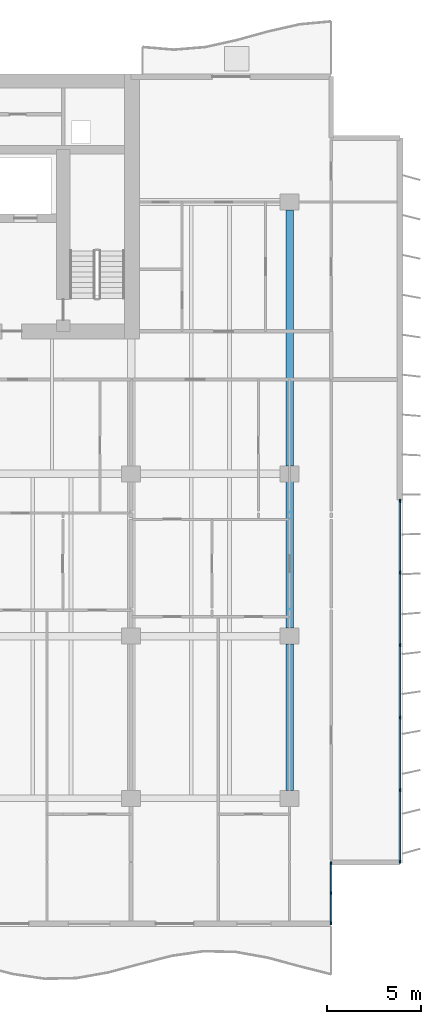
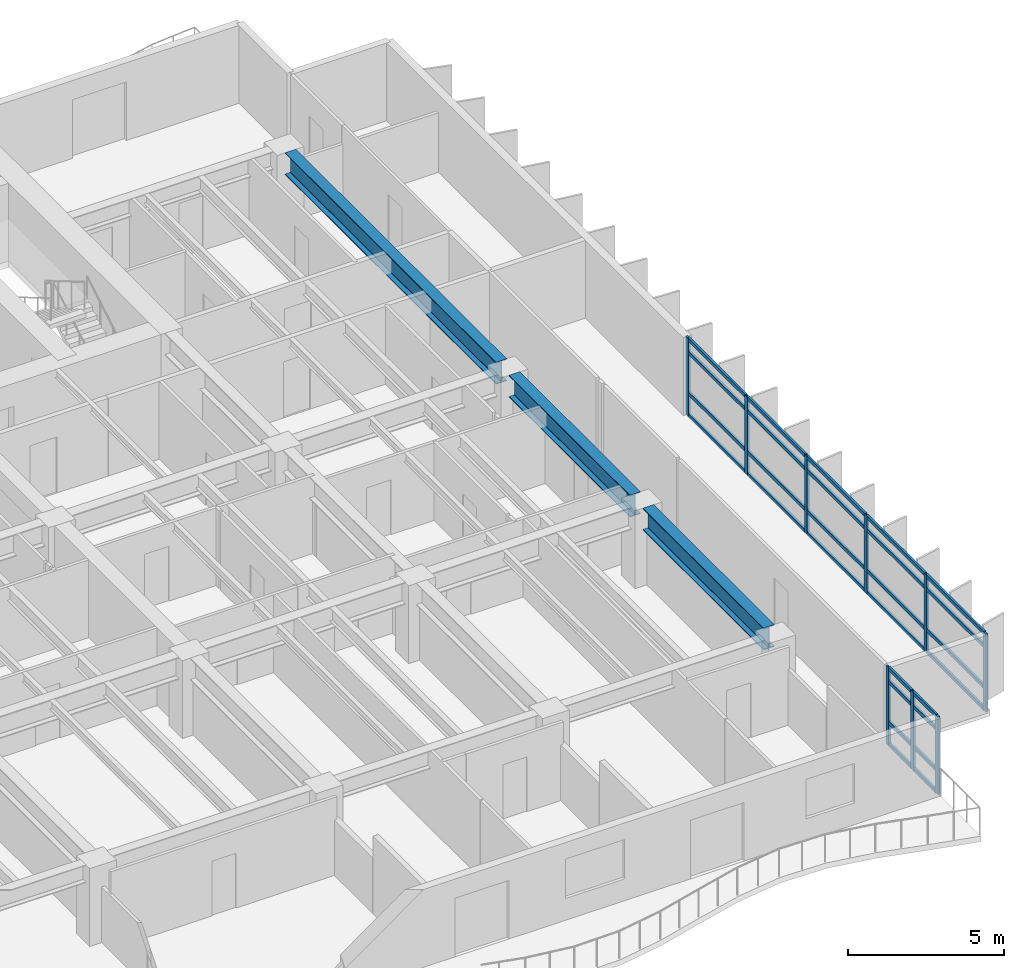
# One storey, part 4 of 17: 37 members, 3 beams, 2 elements without a shape of their own.
"""IFC4 building model written with IfcOpenShell, lengths in metres."""

from ifc_helpers import new_model, si_unit, direction, frame, origin, origin_2d, place, context, subcontext, project, spatial, rectangle, i_section, extrude, material, layer, layer_set, material_profile, profile_set, type_object, element, aggregate, save


model = new_model("IFC4")

# Units and contexts
model_context = context("Model", 3, precision=1e-05, world=origin(), true_north=direction((0.0, 1.0)))
body_context = subcontext(model_context, "Body", "Model", "MODEL_VIEW")
ifc_project = project(units=[si_unit("LENGTHUNIT", "METRE"), si_unit("AREAUNIT", "SQUARE_METRE"), si_unit("VOLUMEUNIT", "CUBIC_METRE"), si_unit("PLANEANGLEUNIT", "RADIAN"), si_unit("MASSUNIT", "GRAM", prefix="KILO")], contexts=[model_context])

# Site, building, storey
site_placement = place(None, origin())
site = spatial("IfcSite", under=ifc_project, at=site_placement, CompositionType="ELEMENT")
building_placement = place(site_placement, origin())
building = spatial("IfcBuilding", under=site, at=building_placement, Name="Caelmar Bay Residences", CompositionType="ELEMENT")
storey_placement = place(building_placement, frame((0.0, 0.0, 87.89990234375)))
storey = spatial("IfcBuildingStorey", under=building, at=storey_placement, Name="L23", CompositionType="ELEMENT", Elevation=87.89990234375)

# Beams
ifc_material_1 = material(Name="Steel ASTM A992 Grade 50", Category="steel")
ifc_material_profile_1 = material_profile(ifc_material_1, i_section(OverallWidth=0.40087890625, OverallDepth=0.861083984375, WebThickness=0.019775390625, FlangeThickness=0.032470703125, FilletRadius=0.017822265625, at=origin_2d()), Name="W33X221")
ifc_profile_set_1 = profile_set([ifc_material_profile_1], Name="Steel ASTM A992 Grade 50")
beam_type = type_object("IfcBeamType", Name="BM-GRD-W33X221", PredefinedType="BEAM", material=ifc_profile_set_1)
for number, where, z_axis, x_axis, name in (
    (1, (67.89990234375, 12.614990234375, 2.61962890625), (0.0, 1.0, 0.0), (-1.0, 0.0, 0.0), "L23 North-South Girder X=67.90 (12.2-20.8)"),
    (2, (67.89990234375, 21.215087890625, 2.61962890625), (0.0, 1.0, 0.0), (-1.0, 0.0, 0.0), "L23 North-South Girder X=67.90 (20.8-29.4)"),
):
    element("IfcBeam", number, at=place(storey_placement, frame(where, z_axis=z_axis, x_axis=x_axis)), inside=storey, type_object=beam_type, Name=name, PredefinedType="BEAM", context=body_context, shape_type="SweptSolid", body=[
        extrude(i_section(OverallWidth=0.40087890625, OverallDepth=0.861083984375, WebThickness=0.019775390625, FlangeThickness=0.032470703125, FilletRadius=0.017822265625, at=origin_2d()), origin(), (0.0, 0.0, 1.0), 7.77001953125),
    ])
beam_placement = place(storey_placement, frame((67.89990234375, 29.81494140625, 2.61962890625), z_axis=(0.0, 1.0, 0.0), x_axis=(-1.0, 0.0, 0.0)))
element("IfcBeam", 3, at=beam_placement, inside=storey, type_object=beam_type, Name="L23 North-South Girder X=67.90 (29.4-43.8)", PredefinedType="BEAM", context=body_context, shape_type="SweptSolid", body=[
    extrude(i_section(OverallWidth=0.40087890625, OverallDepth=0.861083984375, WebThickness=0.019775390625, FlangeThickness=0.032470703125, FilletRadius=0.017822265625, at=origin_2d()), origin(), (0.0, 0.0, 1.0), 13.570068359375),
])

# Curtain wall, members
ifc_material_2 = material(Name="Anodised bronze aluminium 6063-T6 and laminated glass", Category="aluminium")
ifc_layer_1 = layer(ifc_material_2, 0.179931640625)
ifc_layer_set_1 = layer_set([ifc_layer_1], Name="Anodised bronze aluminium 6063-T6 and laminated glass")
curtain_wall_type_1 = type_object("IfcCurtainWallType", Name="CW6-NTC", PredefinedType="NOTDEFINED", material=ifc_layer_set_1)
curtain_wall_1_placement = place(storey_placement, origin())
curtain_wall_1 = element("IfcCurtainWall", 4, at=curtain_wall_1_placement, inside=storey, type_object=curtain_wall_type_1, Name="CW6 curtain wall L23", PredefinedType="NOTDEFINED")
ifc_material_3 = material(Name="Anodised bronze aluminium 6063-T6", Category="aluminium")
ifc_material_profile_2 = material_profile(ifc_material_3, rectangle(XDim=0.080078125, YDim=0.179931640625, at=origin_2d()), Name="CWM-80X180")
ifc_profile_set_2 = profile_set([ifc_material_profile_2], Name="Anodised bronze aluminium 6063-T6")
member_type_1 = type_object("IfcMemberType", Name="CWM-180", PredefinedType="MULLION", material=ifc_profile_set_2)
member_1_placement = place(storey_placement, frame((70.10009765625, 5.590087890625, 0.0), z_axis=(0.0, 0.0, 1.0), x_axis=(-1.0, 0.0, 0.0)))
member_1 = element("IfcMember", 5, at=member_1_placement, type_object=member_type_1, Name="CW6 mullion 1", PredefinedType="MULLION", context=body_context, shape_type="SweptSolid", body=[
    extrude(rectangle(XDim=0.080078125, YDim=0.179931640625, at=origin_2d()), origin(), (0.0, 0.0, 1.0), 3.050048828125),
])
member_2_placement = place(storey_placement, frame((70.10009765625, 7.175048828125, 0.0), z_axis=(0.0, 0.0, 1.0), x_axis=(-1.0, 0.0, 0.0)))
member_2 = element("IfcMember", 6, at=member_2_placement, type_object=member_type_1, Name="CW6 mullion 2", PredefinedType="MULLION", context=body_context, shape_type="SweptSolid", body=[
    extrude(rectangle(XDim=0.080078125, YDim=0.179931640625, at=origin_2d()), origin(), (0.0, 0.0, 1.0), 3.050048828125),
])
member_3_placement = place(storey_placement, frame((70.10009765625, 8.760009765625, 0.0), z_axis=(0.0, 0.0, 1.0), x_axis=(-1.0, 0.0, 0.0)))
member_3 = element("IfcMember", 7, at=member_3_placement, type_object=member_type_1, Name="CW6 mullion 3", PredefinedType="MULLION", context=body_context, shape_type="SweptSolid", body=[
    extrude(rectangle(XDim=0.080078125, YDim=0.179931640625, at=origin_2d()), origin(), (0.0, 0.0, 1.0), 3.050048828125),
])

ifc_layer_2 = layer(ifc_material_2, 0.179931640625)
ifc_layer_set_2 = layer_set([ifc_layer_2], Name="Anodised bronze aluminium 6063-T6 and laminated glass")
curtain_wall_type_2 = type_object("IfcCurtainWallType", Name="CW3-Z2", PredefinedType="NOTDEFINED", material=ifc_layer_set_2)
curtain_wall_2_placement = place(storey_placement, origin())
curtain_wall_2 = element("IfcCurtainWall", 8, at=curtain_wall_2_placement, inside=storey, type_object=curtain_wall_type_2, Name="CW3 curtain wall L23", PredefinedType="NOTDEFINED")
member_4_placement = place(storey_placement, frame((73.75, 27.9599609375, 0.0), z_axis=(0.0, 0.0, 1.0), x_axis=(1.0, 0.0, 0.0)))
member_4 = element("IfcMember", 9, at=member_4_placement, type_object=member_type_1, Name="CW3 mullion 1", PredefinedType="MULLION", context=body_context, shape_type="SweptSolid", body=[
    extrude(rectangle(XDim=0.080078125, YDim=0.179931640625, at=origin_2d()), origin(), (0.0, 0.0, 1.0), 3.050048828125),
])
member_5_placement = place(storey_placement, frame((73.75, 24.159912109375, 0.0), z_axis=(0.0, 0.0, 1.0), x_axis=(1.0, 0.0, 0.0)))
member_5 = element("IfcMember", 10, at=member_5_placement, type_object=member_type_1, Name="CW3 mullion 2", PredefinedType="MULLION", context=body_context, shape_type="SweptSolid", body=[
    extrude(rectangle(XDim=0.080078125, YDim=0.179931640625, at=origin_2d()), origin(), (0.0, 0.0, 1.0), 3.050048828125),
])
member_6_placement = place(storey_placement, frame((73.75, 20.320068359375, 0.0), z_axis=(0.0, 0.0, 1.0), x_axis=(1.0, 0.0, 0.0)))
member_6 = element("IfcMember", 11, at=member_6_placement, type_object=member_type_1, Name="CW3 mullion 3", PredefinedType="MULLION", context=body_context, shape_type="SweptSolid", body=[
    extrude(rectangle(XDim=0.080078125, YDim=0.179931640625, at=origin_2d()), origin(), (0.0, 0.0, 1.0), 3.050048828125),
])
member_7_placement = place(storey_placement, frame((73.75, 16.47998046875, 0.0), z_axis=(0.0, 0.0, 1.0), x_axis=(1.0, 0.0, 0.0)))
member_7 = element("IfcMember", 12, at=member_7_placement, type_object=member_type_1, Name="CW3 mullion 4", PredefinedType="MULLION", context=body_context, shape_type="SweptSolid", body=[
    extrude(rectangle(XDim=0.080078125, YDim=0.179931640625, at=origin_2d()), origin(), (0.0, 0.0, 1.0), 3.050048828125),
])
member_8_placement = place(storey_placement, frame((73.75, 12.639892578125, 0.0), z_axis=(0.0, 0.0, 1.0), x_axis=(1.0, 0.0, 0.0)))
member_8 = element("IfcMember", 13, at=member_8_placement, type_object=member_type_1, Name="CW3 mullion 5", PredefinedType="MULLION", context=body_context, shape_type="SweptSolid", body=[
    extrude(rectangle(XDim=0.080078125, YDim=0.179931640625, at=origin_2d()), origin(), (0.0, 0.0, 1.0), 3.050048828125),
])
member_9_placement = place(storey_placement, frame((73.75, 8.840087890625, 0.0), z_axis=(0.0, 0.0, 1.0), x_axis=(1.0, 0.0, 0.0)))
member_9 = element("IfcMember", 14, at=member_9_placement, type_object=member_type_1, Name="CW3 mullion 6", PredefinedType="MULLION", context=body_context, shape_type="SweptSolid", body=[
    extrude(rectangle(XDim=0.080078125, YDim=0.179931640625, at=origin_2d()), origin(), (0.0, 0.0, 1.0), 3.050048828125),
])

# Member
ifc_material_profile_3 = material_profile(ifc_material_3, rectangle(XDim=0.080078125, YDim=0.139892578125, at=origin_2d()), Name="CWT-80X140")
ifc_profile_set_3 = profile_set([ifc_material_profile_3], Name="Anodised bronze aluminium 6063-T6")
member_type_2 = type_object("IfcMemberType", Name="CWT-140", PredefinedType="NOTDEFINED", material=ifc_profile_set_3)
member_10_placement = place(storey_placement, frame((70.10009765625, 5.6298828125, 0.0400390625), z_axis=(0.0, 1.0, 0.0), x_axis=(-1.0, 0.0, 0.0)))
member_10 = element("IfcMember", 15, at=member_10_placement, type_object=member_type_2, Name="CW6 transom 1.1", ObjectType="TRANSOM", PredefinedType="USERDEFINED", context=body_context, shape_type="SweptSolid", body=[
    extrude(rectangle(XDim=0.080078125, YDim=0.139892578125, at=origin_2d()), origin(), (0.0, 0.0, 1.0), 1.505126953125),
])

member_11_placement = place(storey_placement, frame((70.10009765625, 5.6298828125, 0.900146484375), z_axis=(0.0, 1.0, 0.0), x_axis=(-1.0, 0.0, 0.0)))
member_11 = element("IfcMember", 16, at=member_11_placement, type_object=member_type_2, Name="CW6 transom 1.2", ObjectType="TRANSOM", PredefinedType="USERDEFINED", context=body_context, shape_type="SweptSolid", body=[
    extrude(rectangle(XDim=0.080078125, YDim=0.139892578125, at=origin_2d()), origin(), (0.0, 0.0, 1.0), 1.505126953125),
])

member_12_placement = place(storey_placement, frame((70.10009765625, 5.6298828125, 2.5), z_axis=(0.0, 1.0, 0.0), x_axis=(-1.0, 0.0, 0.0)))
member_12 = element("IfcMember", 17, at=member_12_placement, type_object=member_type_2, Name="CW6 transom 1.3", ObjectType="TRANSOM", PredefinedType="USERDEFINED", context=body_context, shape_type="SweptSolid", body=[
    extrude(rectangle(XDim=0.080078125, YDim=0.139892578125, at=origin_2d()), origin(), (0.0, 0.0, 1.0), 1.505126953125),
])

member_13_placement = place(storey_placement, frame((70.10009765625, 5.6298828125, 3.010009765625), z_axis=(0.0, 1.0, 0.0), x_axis=(-1.0, 0.0, 0.0)))
member_13 = element("IfcMember", 18, at=member_13_placement, type_object=member_type_2, Name="CW6 transom 1.4", ObjectType="TRANSOM", PredefinedType="USERDEFINED", context=body_context, shape_type="SweptSolid", body=[
    extrude(rectangle(XDim=0.080078125, YDim=0.139892578125, at=origin_2d()), origin(), (0.0, 0.0, 1.0), 1.505126953125),
])

member_14_placement = place(storey_placement, frame((70.10009765625, 7.215087890625, 0.0400390625), z_axis=(0.0, 1.0, 0.0), x_axis=(-1.0, 0.0, 0.0)))
member_14 = element("IfcMember", 19, at=member_14_placement, type_object=member_type_2, Name="CW6 transom 2.1", ObjectType="TRANSOM", PredefinedType="USERDEFINED", context=body_context, shape_type="SweptSolid", body=[
    extrude(rectangle(XDim=0.080078125, YDim=0.139892578125, at=origin_2d()), origin(), (0.0, 0.0, 1.0), 1.5048828125),
])

member_15_placement = place(storey_placement, frame((70.10009765625, 7.215087890625, 0.900146484375), z_axis=(0.0, 1.0, 0.0), x_axis=(-1.0, 0.0, 0.0)))
member_15 = element("IfcMember", 20, at=member_15_placement, type_object=member_type_2, Name="CW6 transom 2.2", ObjectType="TRANSOM", PredefinedType="USERDEFINED", context=body_context, shape_type="SweptSolid", body=[
    extrude(rectangle(XDim=0.080078125, YDim=0.139892578125, at=origin_2d()), origin(), (0.0, 0.0, 1.0), 1.5048828125),
])

member_16_placement = place(storey_placement, frame((70.10009765625, 7.215087890625, 2.5), z_axis=(0.0, 1.0, 0.0), x_axis=(-1.0, 0.0, 0.0)))
member_16 = element("IfcMember", 21, at=member_16_placement, type_object=member_type_2, Name="CW6 transom 2.3", ObjectType="TRANSOM", PredefinedType="USERDEFINED", context=body_context, shape_type="SweptSolid", body=[
    extrude(rectangle(XDim=0.080078125, YDim=0.139892578125, at=origin_2d()), origin(), (0.0, 0.0, 1.0), 1.5048828125),
])

member_17_placement = place(storey_placement, frame((70.10009765625, 7.215087890625, 3.010009765625), z_axis=(0.0, 1.0, 0.0), x_axis=(-1.0, 0.0, 0.0)))
member_17 = element("IfcMember", 22, at=member_17_placement, type_object=member_type_2, Name="CW6 transom 2.4", ObjectType="TRANSOM", PredefinedType="USERDEFINED", context=body_context, shape_type="SweptSolid", body=[
    extrude(rectangle(XDim=0.080078125, YDim=0.139892578125, at=origin_2d()), origin(), (0.0, 0.0, 1.0), 1.5048828125),
])

aggregate(curtain_wall_1, [member_1, member_2, member_3, member_10, member_11, member_12, member_13, member_14, member_15, member_16, member_17])

member_18_placement = place(storey_placement, frame((73.75, 27.919921875, 0.0400390625), z_axis=(0.0, -1.0, 0.0), x_axis=(1.0, 0.0, 0.0)))
member_18 = element("IfcMember", 23, at=member_18_placement, type_object=member_type_2, Name="CW3 transom 1.1", ObjectType="TRANSOM", PredefinedType="USERDEFINED", context=body_context, shape_type="SweptSolid", body=[
    extrude(rectangle(XDim=0.080078125, YDim=0.139892578125, at=origin_2d()), origin(), (0.0, 0.0, 1.0), 3.719970703125),
])

member_19_placement = place(storey_placement, frame((73.75, 27.919921875, 0.900146484375), z_axis=(0.0, -1.0, 0.0), x_axis=(1.0, 0.0, 0.0)))
member_19 = element("IfcMember", 24, at=member_19_placement, type_object=member_type_2, Name="CW3 transom 1.2", ObjectType="TRANSOM", PredefinedType="USERDEFINED", context=body_context, shape_type="SweptSolid", body=[
    extrude(rectangle(XDim=0.080078125, YDim=0.139892578125, at=origin_2d()), origin(), (0.0, 0.0, 1.0), 3.719970703125),
])

member_20_placement = place(storey_placement, frame((73.75, 27.919921875, 2.5), z_axis=(0.0, -1.0, 0.0), x_axis=(1.0, 0.0, 0.0)))
member_20 = element("IfcMember", 25, at=member_20_placement, type_object=member_type_2, Name="CW3 transom 1.3", ObjectType="TRANSOM", PredefinedType="USERDEFINED", context=body_context, shape_type="SweptSolid", body=[
    extrude(rectangle(XDim=0.080078125, YDim=0.139892578125, at=origin_2d()), origin(), (0.0, 0.0, 1.0), 3.719970703125),
])

member_21_placement = place(storey_placement, frame((73.75, 27.919921875, 3.010009765625), z_axis=(0.0, -1.0, 0.0), x_axis=(1.0, 0.0, 0.0)))
member_21 = element("IfcMember", 26, at=member_21_placement, type_object=member_type_2, Name="CW3 transom 1.4", ObjectType="TRANSOM", PredefinedType="USERDEFINED", context=body_context, shape_type="SweptSolid", body=[
    extrude(rectangle(XDim=0.080078125, YDim=0.139892578125, at=origin_2d()), origin(), (0.0, 0.0, 1.0), 3.719970703125),
])

member_22_placement = place(storey_placement, frame((73.75, 24.1201171875, 0.0400390625), z_axis=(0.0, -1.0, 0.0), x_axis=(1.0, 0.0, 0.0)))
member_22 = element("IfcMember", 27, at=member_22_placement, type_object=member_type_2, Name="CW3 transom 2.1", ObjectType="TRANSOM", PredefinedType="USERDEFINED", context=body_context, shape_type="SweptSolid", body=[
    extrude(rectangle(XDim=0.080078125, YDim=0.139892578125, at=origin_2d()), origin(), (0.0, 0.0, 1.0), 3.760009765625),
])

member_23_placement = place(storey_placement, frame((73.75, 24.1201171875, 0.900146484375), z_axis=(0.0, -1.0, 0.0), x_axis=(1.0, 0.0, 0.0)))
member_23 = element("IfcMember", 28, at=member_23_placement, type_object=member_type_2, Name="CW3 transom 2.2", ObjectType="TRANSOM", PredefinedType="USERDEFINED", context=body_context, shape_type="SweptSolid", body=[
    extrude(rectangle(XDim=0.080078125, YDim=0.139892578125, at=origin_2d()), origin(), (0.0, 0.0, 1.0), 3.760009765625),
])

member_24_placement = place(storey_placement, frame((73.75, 24.1201171875, 2.5), z_axis=(0.0, -1.0, 0.0), x_axis=(1.0, 0.0, 0.0)))
member_24 = element("IfcMember", 29, at=member_24_placement, type_object=member_type_2, Name="CW3 transom 2.3", ObjectType="TRANSOM", PredefinedType="USERDEFINED", context=body_context, shape_type="SweptSolid", body=[
    extrude(rectangle(XDim=0.080078125, YDim=0.139892578125, at=origin_2d()), origin(), (0.0, 0.0, 1.0), 3.760009765625),
])

member_25_placement = place(storey_placement, frame((73.75, 24.1201171875, 3.010009765625), z_axis=(0.0, -1.0, 0.0), x_axis=(1.0, 0.0, 0.0)))
member_25 = element("IfcMember", 30, at=member_25_placement, type_object=member_type_2, Name="CW3 transom 2.4", ObjectType="TRANSOM", PredefinedType="USERDEFINED", context=body_context, shape_type="SweptSolid", body=[
    extrude(rectangle(XDim=0.080078125, YDim=0.139892578125, at=origin_2d()), origin(), (0.0, 0.0, 1.0), 3.760009765625),
])

member_26_placement = place(storey_placement, frame((73.75, 20.280029296875, 0.0400390625), z_axis=(0.0, -1.0, 0.0), x_axis=(1.0, 0.0, 0.0)))
member_26 = element("IfcMember", 31, at=member_26_placement, type_object=member_type_2, Name="CW3 transom 3.1", ObjectType="TRANSOM", PredefinedType="USERDEFINED", context=body_context, shape_type="SweptSolid", body=[
    extrude(rectangle(XDim=0.080078125, YDim=0.139892578125, at=origin_2d()), origin(), (0.0, 0.0, 1.0), 3.760009765625),
])

member_27_placement = place(storey_placement, frame((73.75, 20.280029296875, 0.900146484375), z_axis=(0.0, -1.0, 0.0), x_axis=(1.0, 0.0, 0.0)))
member_27 = element("IfcMember", 32, at=member_27_placement, type_object=member_type_2, Name="CW3 transom 3.2", ObjectType="TRANSOM", PredefinedType="USERDEFINED", context=body_context, shape_type="SweptSolid", body=[
    extrude(rectangle(XDim=0.080078125, YDim=0.139892578125, at=origin_2d()), origin(), (0.0, 0.0, 1.0), 3.760009765625),
])

member_28_placement = place(storey_placement, frame((73.75, 20.280029296875, 2.5), z_axis=(0.0, -1.0, 0.0), x_axis=(1.0, 0.0, 0.0)))
member_28 = element("IfcMember", 33, at=member_28_placement, type_object=member_type_2, Name="CW3 transom 3.3", ObjectType="TRANSOM", PredefinedType="USERDEFINED", context=body_context, shape_type="SweptSolid", body=[
    extrude(rectangle(XDim=0.080078125, YDim=0.139892578125, at=origin_2d()), origin(), (0.0, 0.0, 1.0), 3.760009765625),
])

member_29_placement = place(storey_placement, frame((73.75, 20.280029296875, 3.010009765625), z_axis=(0.0, -1.0, 0.0), x_axis=(1.0, 0.0, 0.0)))
member_29 = element("IfcMember", 34, at=member_29_placement, type_object=member_type_2, Name="CW3 transom 3.4", ObjectType="TRANSOM", PredefinedType="USERDEFINED", context=body_context, shape_type="SweptSolid", body=[
    extrude(rectangle(XDim=0.080078125, YDim=0.139892578125, at=origin_2d()), origin(), (0.0, 0.0, 1.0), 3.760009765625),
])

member_30_placement = place(storey_placement, frame((73.75, 16.43994140625, 0.0400390625), z_axis=(0.0, -1.0, 0.0), x_axis=(1.0, 0.0, 0.0)))
member_30 = element("IfcMember", 35, at=member_30_placement, type_object=member_type_2, Name="CW3 transom 4.1", ObjectType="TRANSOM", PredefinedType="USERDEFINED", context=body_context, shape_type="SweptSolid", body=[
    extrude(rectangle(XDim=0.080078125, YDim=0.139892578125, at=origin_2d()), origin(), (0.0, 0.0, 1.0), 3.760009765625),
])

member_31_placement = place(storey_placement, frame((73.75, 16.43994140625, 0.900146484375), z_axis=(0.0, -1.0, 0.0), x_axis=(1.0, 0.0, 0.0)))
member_31 = element("IfcMember", 36, at=member_31_placement, type_object=member_type_2, Name="CW3 transom 4.2", ObjectType="TRANSOM", PredefinedType="USERDEFINED", context=body_context, shape_type="SweptSolid", body=[
    extrude(rectangle(XDim=0.080078125, YDim=0.139892578125, at=origin_2d()), origin(), (0.0, 0.0, 1.0), 3.760009765625),
])

member_32_placement = place(storey_placement, frame((73.75, 16.43994140625, 2.5), z_axis=(0.0, -1.0, 0.0), x_axis=(1.0, 0.0, 0.0)))
member_32 = element("IfcMember", 37, at=member_32_placement, type_object=member_type_2, Name="CW3 transom 4.3", ObjectType="TRANSOM", PredefinedType="USERDEFINED", context=body_context, shape_type="SweptSolid", body=[
    extrude(rectangle(XDim=0.080078125, YDim=0.139892578125, at=origin_2d()), origin(), (0.0, 0.0, 1.0), 3.760009765625),
])

member_33_placement = place(storey_placement, frame((73.75, 16.43994140625, 3.010009765625), z_axis=(0.0, -1.0, 0.0), x_axis=(1.0, 0.0, 0.0)))
member_33 = element("IfcMember", 38, at=member_33_placement, type_object=member_type_2, Name="CW3 transom 4.4", ObjectType="TRANSOM", PredefinedType="USERDEFINED", context=body_context, shape_type="SweptSolid", body=[
    extrude(rectangle(XDim=0.080078125, YDim=0.139892578125, at=origin_2d()), origin(), (0.0, 0.0, 1.0), 3.760009765625),
])

member_34_placement = place(storey_placement, frame((73.75, 12.60009765625, 0.0400390625), z_axis=(0.0, -1.0, 0.0), x_axis=(1.0, 0.0, 0.0)))
member_34 = element("IfcMember", 39, at=member_34_placement, type_object=member_type_2, Name="CW3 transom 5.1", ObjectType="TRANSOM", PredefinedType="USERDEFINED", context=body_context, shape_type="SweptSolid", body=[
    extrude(rectangle(XDim=0.080078125, YDim=0.139892578125, at=origin_2d()), origin(), (0.0, 0.0, 1.0), 3.72021484375),
])

member_35_placement = place(storey_placement, frame((73.75, 12.60009765625, 0.900146484375), z_axis=(0.0, -1.0, 0.0), x_axis=(1.0, 0.0, 0.0)))
member_35 = element("IfcMember", 40, at=member_35_placement, type_object=member_type_2, Name="CW3 transom 5.2", ObjectType="TRANSOM", PredefinedType="USERDEFINED", context=body_context, shape_type="SweptSolid", body=[
    extrude(rectangle(XDim=0.080078125, YDim=0.139892578125, at=origin_2d()), origin(), (0.0, 0.0, 1.0), 3.72021484375),
])

member_36_placement = place(storey_placement, frame((73.75, 12.60009765625, 2.5), z_axis=(0.0, -1.0, 0.0), x_axis=(1.0, 0.0, 0.0)))
member_36 = element("IfcMember", 41, at=member_36_placement, type_object=member_type_2, Name="CW3 transom 5.3", ObjectType="TRANSOM", PredefinedType="USERDEFINED", context=body_context, shape_type="SweptSolid", body=[
    extrude(rectangle(XDim=0.080078125, YDim=0.139892578125, at=origin_2d()), origin(), (0.0, 0.0, 1.0), 3.72021484375),
])

member_37_placement = place(storey_placement, frame((73.75, 12.60009765625, 3.010009765625), z_axis=(0.0, -1.0, 0.0), x_axis=(1.0, 0.0, 0.0)))
member_37 = element("IfcMember", 42, at=member_37_placement, type_object=member_type_2, Name="CW3 transom 5.4", ObjectType="TRANSOM", PredefinedType="USERDEFINED", context=body_context, shape_type="SweptSolid", body=[
    extrude(rectangle(XDim=0.080078125, YDim=0.139892578125, at=origin_2d()), origin(), (0.0, 0.0, 1.0), 3.72021484375),
])

aggregate(curtain_wall_2, [member_4, member_5, member_6, member_7, member_8, member_9, member_18, member_19, member_20, member_21, member_22, member_23, member_24, member_25, member_26, member_27, member_28, member_29, member_30, member_31, member_32, member_33, member_34, member_35, member_36, member_37])

save(model, "model.ifc")
